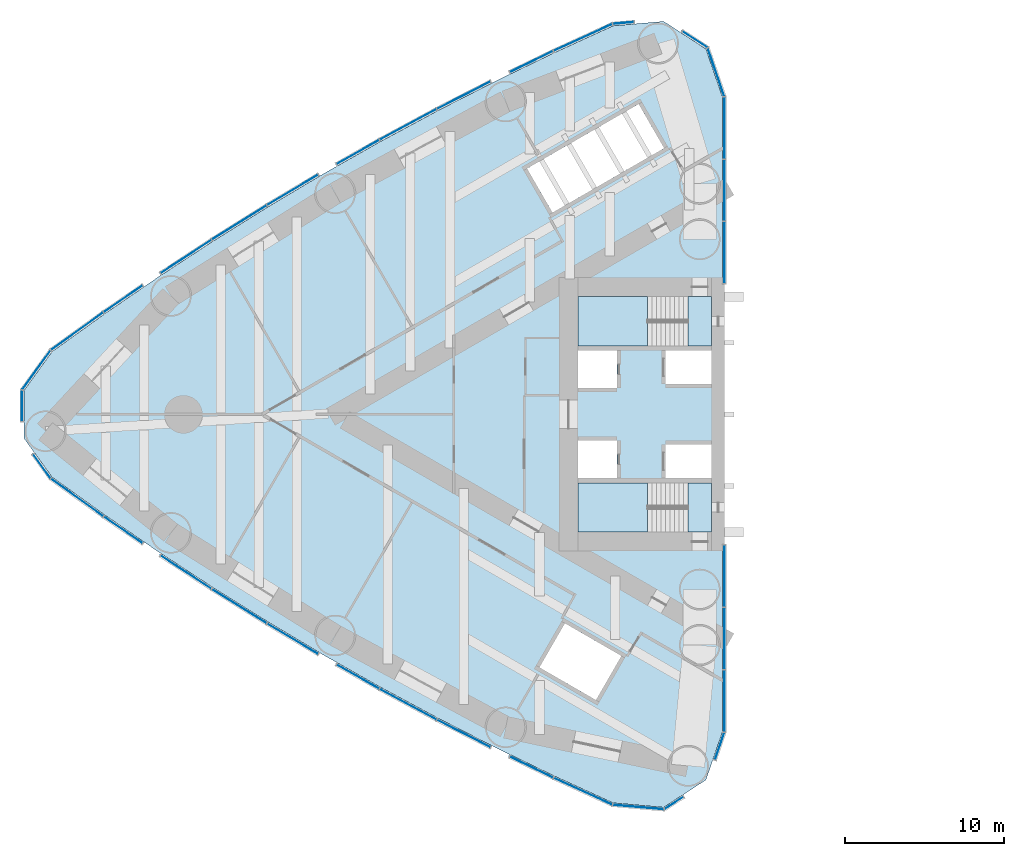
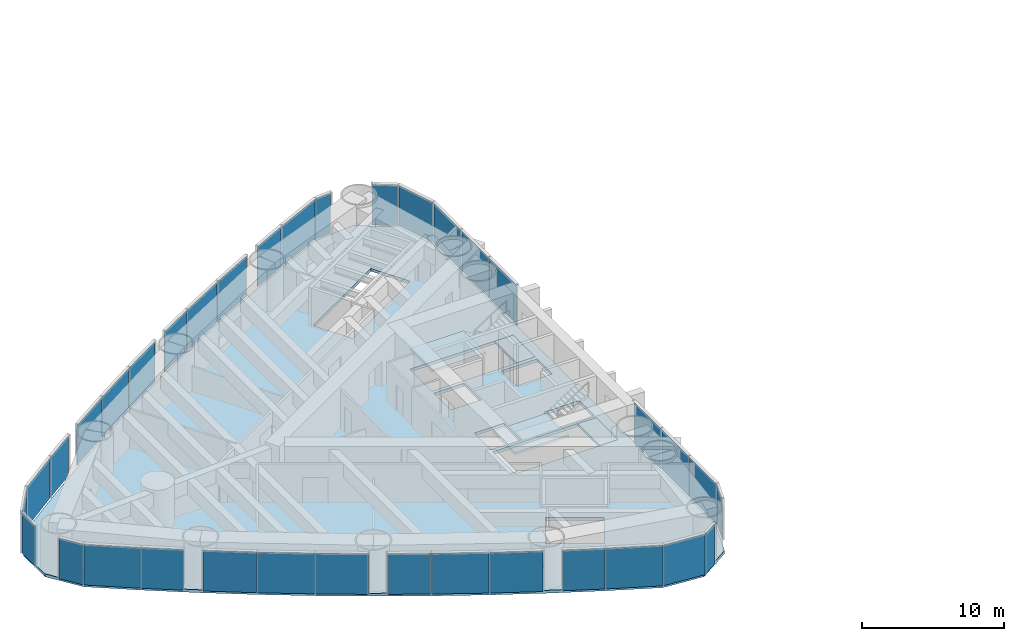
# One storey, part 9 of 16: 35 plates, 5 slabs, 12 elements without a shape of their own.
"""IFC4 building model written with IfcOpenShell, lengths in metres."""

from ifc_helpers import new_model, si_unit, direction, frame, origin, origin_2d, place, context, subcontext, project, spatial, polyline, rectangle, outline, extrude, material, layer, layer_set, type_object, element, aggregate, save


model = new_model("IFC4")

# Units and contexts
model_context = context("Model", 3, precision=1e-05, world=origin(), true_north=direction((0.0, 1.0)))
body_context = subcontext(model_context, "Body", "Model", "MODEL_VIEW")
ifc_project = project(units=[si_unit("LENGTHUNIT", "METRE"), si_unit("AREAUNIT", "SQUARE_METRE"), si_unit("VOLUMEUNIT", "CUBIC_METRE"), si_unit("PLANEANGLEUNIT", "RADIAN"), si_unit("MASSUNIT", "GRAM", prefix="KILO")], contexts=[model_context])

# Site, building, storey
site_placement = place(None, origin())
site = spatial("IfcSite", under=ifc_project, at=site_placement, CompositionType="ELEMENT")
building_placement = place(site_placement, origin())
building = spatial("IfcBuilding", under=site, at=building_placement, Name="Lancet Gate Hotel", CompositionType="ELEMENT")
storey_placement = place(building_placement, frame((0.0, 0.0, 143.10009765625)))
storey = spatial("IfcBuildingStorey", under=building, at=storey_placement, Name="L38", CompositionType="ELEMENT", Elevation=143.10009765625)

# Slab
ifc_material_1 = material(Name="Concrete C50/60", Category="concrete")
ifc_layer_1 = layer(ifc_material_1, 0.25)
ifc_layer_set_1 = layer_set([ifc_layer_1], Name="Floor slab 250")
slab_type_1 = type_object("IfcSlabType", Name="Floor slab 250", PredefinedType="FLOOR", material=ifc_layer_set_1)
slab_1_placement = place(storey_placement, frame((0.0, 0.0, -0.25)))
element("IfcSlab", 1, at=slab_1_placement, inside=storey, type_object=slab_type_1, Name="T1 L38 floor slab", PredefinedType="FLOOR", context=body_context, shape_type="SweptSolid", body=[
    extrude(outline(polyline([(-27.5, 8.60009765625), (-27.6201171875, 8.60009765625), (-27.6201171875, 19.950927734375), (-28.65966796875, 22.970947265625), (-31.320068359375, 24.69921875), (-34.5009765625, 24.421630859375), (-38.201416015625, 22.727783203125), (-41.8818359375, 20.946044921875), (-45.523193359375, 19.085693359375), (-49.12353515625, 17.147216796875), (-52.681396484375, 15.131591796875), (-56.195068359375, 13.0400390625), (-59.662841796875, 10.873291015625), (-63.0830078125, 8.63232421875), (-66.454345703125, 6.318115234375), (-69.76025390625, 3.94287109375), (-71.523193359375, 1.49755859375), (-71.523193359375, -1.49755859375), (-69.76025390625, -3.94287109375), (-66.454345703125, -6.318115234375), (-63.0830078125, -8.63232421875), (-59.662841796875, -10.873291015625), (-56.195068359375, -13.0400390625), (-52.681396484375, -15.131591796875), (-49.12353515625, -17.147216796875), (-45.523193359375, -19.085693359375), (-41.8818359375, -20.946044921875), (-38.201416015625, -22.727783203125), (-34.5009765625, -24.421630859375), (-31.320068359375, -24.69921875), (-28.65966796875, -22.970947265625), (-27.6201171875, -19.950927734375), (-27.6201171875, -8.60009765625), (-27.5, -8.60009765625), (-27.5, -8.199951171875), (-27.5, 8.199951171875), (-27.5, 8.60009765625)]), holes=[polyline([(-36.699951171875, 7.39990234375), (-36.699951171875, 4.300048828125), (-28.300048828125, 4.300048828125), (-28.300048828125, 7.39990234375), (-36.699951171875, 7.39990234375)]), polyline([(-28.300048828125, 4.0), (-31.199951171875, 4.0), (-31.199951171875, 1.89990234375), (-28.300048828125, 1.89990234375), (-28.300048828125, 4.0)]), polyline([(-34.25, 4.0), (-36.699951171875, 4.0), (-36.699951171875, 1.64990234375), (-34.25, 1.64990234375), (-34.25, 4.0)]), polyline([(-36.699951171875, -1.64990234375), (-36.699951171875, -4.0), (-34.25, -4.0), (-34.25, -1.64990234375), (-36.699951171875, -1.64990234375)]), polyline([(-28.300048828125, -1.89990234375), (-31.199951171875, -1.89990234375), (-31.199951171875, -4.0), (-28.300048828125, -4.0), (-28.300048828125, -1.89990234375)]), polyline([(-28.300048828125, -4.300048828125), (-36.699951171875, -4.300048828125), (-36.699951171875, -7.39990234375), (-28.300048828125, -7.39990234375), (-28.300048828125, -4.300048828125)]), polyline([(-31.2900390625, 16.73095703125), (-32.889892578125, 19.501953125), (-39.904052734375, 15.451904296875), (-38.303955078125, 12.680908203125), (-31.2900390625, 16.73095703125)]), polyline([(-33.97412109375, -15.180908203125), (-37.52490234375, -13.131103515625), (-39.125, -15.902099609375), (-35.573974609375, -17.951904296875), (-33.97412109375, -15.180908203125)])]), origin(), (0.0, 0.0, 1.0), 0.25),
])

# Stair, slabs
ifc_material_2 = material(Name="Exit stair 20 risers 1500")
stair_type = type_object("IfcStairType", Name="Exit stair 20 risers 1500", PredefinedType="HALF_TURN_STAIR", material=ifc_material_2)
stair_1_placement = place(storey_placement, origin())
stair_1 = element("IfcStair", 2, at=stair_1_placement, inside=storey, type_object=stair_type, Name="T1 stair 1 L38", PredefinedType="HALF_TURN_STAIR")
ifc_material_3 = material(Name="Concrete C40/50", Category="concrete")
ifc_layer_2 = layer(ifc_material_3, 0.199951171875)
ifc_layer_set_2 = layer_set([ifc_layer_2], Name="Stair landing 200")
slab_type_2 = type_object("IfcSlabType", Name="Stair landing 200", PredefinedType="LANDING", material=ifc_layer_set_2)
slab_2_placement = place(storey_placement, frame((0.0, 0.0, -0.2001953125)))
slab_2 = element("IfcSlab", 3, at=slab_2_placement, type_object=slab_type_2, Name="ST1 landing 1", PredefinedType="LANDING", context=body_context, shape_type="SweptSolid", body=[
    extrude(outline(polyline([(-28.300048828125, 7.39990234375), (-29.800048828125, 7.39990234375), (-29.800048828125, 4.300048828125), (-28.300048828125, 4.300048828125), (-28.300048828125, 7.39990234375)])), origin(), (0.0, 0.0, 1.0), 0.2001953125),
])
slab_3_placement = place(storey_placement, frame((0.0, 0.0, 1.599853515625)))
slab_3 = element("IfcSlab", 4, at=slab_3_placement, type_object=slab_type_2, Name="ST1 landing 2", PredefinedType="LANDING", context=body_context, shape_type="SweptSolid", body=[
    extrude(outline(polyline([(-32.320068359375, 7.39990234375), (-36.699951171875, 7.39990234375), (-36.699951171875, 4.300048828125), (-32.320068359375, 4.300048828125), (-32.320068359375, 7.39990234375)])), origin(), (0.0, 0.0, 1.0), 0.199951171875),
])
aggregate(stair_1, [slab_2, slab_3])

stair_2_placement = place(storey_placement, origin())
stair_2 = element("IfcStair", 5, at=stair_2_placement, inside=storey, type_object=stair_type, Name="T1 stair 2 L38", PredefinedType="HALF_TURN_STAIR")
slab_4_placement = place(storey_placement, frame((0.0, 0.0, -0.2001953125)))
slab_4 = element("IfcSlab", 6, at=slab_4_placement, type_object=slab_type_2, Name="ST2 landing 1", PredefinedType="LANDING", context=body_context, shape_type="SweptSolid", body=[
    extrude(outline(polyline([(-28.300048828125, -4.300048828125), (-29.800048828125, -4.300048828125), (-29.800048828125, -7.39990234375), (-28.300048828125, -7.39990234375), (-28.300048828125, -4.300048828125)])), origin(), (0.0, 0.0, 1.0), 0.2001953125),
])
slab_5_placement = place(storey_placement, frame((0.0, 0.0, 1.599853515625)))
slab_5 = element("IfcSlab", 7, at=slab_5_placement, type_object=slab_type_2, Name="ST2 landing 2", PredefinedType="LANDING", context=body_context, shape_type="SweptSolid", body=[
    extrude(outline(polyline([(-32.320068359375, -4.300048828125), (-36.699951171875, -4.300048828125), (-36.699951171875, -7.39990234375), (-32.320068359375, -7.39990234375), (-32.320068359375, -4.300048828125)])), origin(), (0.0, 0.0, 1.0), 0.199951171875),
])
aggregate(stair_2, [slab_4, slab_5])

# Curtain wall, plates
ifc_material_4 = material(Name="Aluminium curtain wall", Category="aluminium")
curtain_wall_type = type_object("IfcCurtainWallType", Name="Tower unitised curtain wall", PredefinedType="USERDEFINED", material=ifc_material_4)
curtain_wall_1_placement = place(storey_placement, origin())
curtain_wall_1 = element("IfcCurtainWall", 8, at=curtain_wall_1_placement, inside=storey, type_object=curtain_wall_type, Name="T1 L38 curtain wall 1", ObjectType="UNITISED CURTAIN WALL", PredefinedType="USERDEFINED")
ifc_material_5 = material(Name="Glass double glazed unit 8-16-6", Category="glass")
ifc_layer_3 = layer(ifc_material_5, 0.030029296875)
ifc_layer_set_3 = layer_set([ifc_layer_3], Name="Vision panel double glazed")
plate_type = type_object("IfcPlateType", Name="Vision panel double glazed", PredefinedType="CURTAIN_PANEL", material=ifc_layer_set_3)
plate_1_placement = place(storey_placement, frame((-27.5, 10.161865234375, 0.0), z_axis=(0.0, 0.0, 1.0), x_axis=(0.0, 1.0, 0.0)))
plate_1 = element("IfcPlate", 9, at=plate_1_placement, type_object=plate_type, Name="T1 L38 curtain wall 1 panel 1", PredefinedType="CURTAIN_PANEL", context=body_context, shape_type="SweptSolid", body=[
    extrude(rectangle(XDim=3.858642578125, YDim=0.030029296875, at=origin_2d()), origin(), (0.0, 0.0, 1.0), 3.449951171875),
])
plate_2_placement = place(storey_placement, frame((-27.5, 14.08544921875, 0.0), z_axis=(0.0, 0.0, 1.0), x_axis=(0.0, 1.0, 0.0)))
plate_2 = element("IfcPlate", 10, at=plate_2_placement, type_object=plate_type, Name="T1 L38 curtain wall 1 panel 2", PredefinedType="CURTAIN_PANEL", context=body_context, shape_type="SweptSolid", body=[
    extrude(rectangle(XDim=3.858642578125, YDim=0.030029296875, at=origin_2d()), origin(), (0.0, 0.0, 1.0), 3.449951171875),
])
plate_3_placement = place(storey_placement, frame((-27.5, 18.00927734375, 0.0), z_axis=(0.0, 0.0, 1.0), x_axis=(0.0, 1.0, 0.0)))
plate_3 = element("IfcPlate", 11, at=plate_3_placement, type_object=plate_type, Name="T1 L38 curtain wall 1 panel 3", PredefinedType="CURTAIN_PANEL", context=body_context, shape_type="SweptSolid", body=[
    extrude(rectangle(XDim=3.858642578125, YDim=0.030029296875, at=origin_2d()), origin(), (0.0, 0.0, 1.0), 3.449951171875),
])
plate_4_placement = place(storey_placement, frame((-28.02978515625, 21.510009765625, 0.0), z_axis=(0.0, 0.0, 1.0), x_axis=(-0.325515820766, 0.945536593914, 0.0)))
plate_4 = element("IfcPlate", 12, at=plate_4_placement, type_object=plate_type, Name="T1 L38 curtain wall 1 panel 4", PredefinedType="CURTAIN_PANEL", context=body_context, shape_type="SweptSolid", body=[
    extrude(rectangle(XDim=3.190185546875, YDim=0.030029296875, at=origin_2d()), origin(), (0.0, 0.0, 1.0), 3.449951171875),
])
plate_5_placement = place(storey_placement, frame((-29.364501953125, 23.57177734375, 0.0), z_axis=(0.0, 0.0, 1.0), x_axis=(-0.838580121261, 0.544778285385, 0.0)))
plate_5 = element("IfcPlate", 13, at=plate_5_placement, type_object=plate_type, Name="T1 L38 curtain wall 1 panel 5", PredefinedType="CURTAIN_PANEL", context=body_context, shape_type="SweptSolid", body=[
    extrude(rectangle(XDim=1.8544921875, YDim=0.030029296875, at=origin_2d()), origin(), (0.0, 0.0, 1.0), 3.449951171875),
])
aggregate(curtain_wall_1, [plate_1, plate_2, plate_3, plate_4, plate_5])

curtain_wall_2_placement = place(storey_placement, origin())
curtain_wall_2 = element("IfcCurtainWall", 14, at=curtain_wall_2_placement, inside=storey, type_object=curtain_wall_type, Name="T1 L38 curtain wall 2", ObjectType="UNITISED CURTAIN WALL", PredefinedType="USERDEFINED")
plate_6_placement = place(storey_placement, frame((-33.8486328125, 24.59912109375, 0.0), z_axis=(0.0, 0.0, 1.0), x_axis=(-0.996218779711, -0.086880049207, 0.0)))
plate_6 = element("IfcPlate", 15, at=plate_6_placement, type_object=plate_type, Name="T1 L38 curtain wall 2 panel 1", PredefinedType="CURTAIN_PANEL", context=body_context, shape_type="SweptSolid", body=[
    extrude(rectangle(XDim=1.307373046875, YDim=0.030029296875, at=origin_2d()), origin(), (0.0, 0.0, 1.0), 3.449951171875),
])
plate_7_placement = place(storey_placement, frame((-36.392333984375, 23.68798828125, 0.0), z_axis=(0.0, 0.0, 1.0), x_axis=(-0.909252721243, -0.416244506166, 0.0)))
plate_7 = element("IfcPlate", 16, at=plate_7_placement, type_object=plate_type, Name="T1 L38 curtain wall 2 panel 2", PredefinedType="CURTAIN_PANEL", context=body_context, shape_type="SweptSolid", body=[
    extrude(rectangle(XDim=4.026611328125, YDim=0.030029296875, at=origin_2d()), origin(), (0.0, 0.0, 1.0), 3.449951171875),
])
plate_8_placement = place(storey_placement, frame((-39.63037109375, 22.16943359375, 0.0), z_axis=(0.0, 0.0, 1.0), x_axis=(-0.900081672047, -0.435721222395, 0.0)))
plate_8 = element("IfcPlate", 17, at=plate_8_placement, type_object=plate_type, Name="T1 L38 curtain wall 2 panel 3", PredefinedType="CURTAIN_PANEL", context=body_context, shape_type="SweptSolid", body=[
    extrude(rectangle(XDim=2.99658203125, YDim=0.030029296875, at=origin_2d()), origin(), (0.0, 0.0, 1.0), 3.449951171875),
])
aggregate(curtain_wall_2, [plate_6, plate_7, plate_8])

curtain_wall_3_placement = place(storey_placement, origin())
curtain_wall_3 = element("IfcCurtainWall", 18, at=curtain_wall_3_placement, inside=storey, type_object=curtain_wall_type, Name="T1 L38 curtain wall 3", ObjectType="UNITISED CURTAIN WALL", PredefinedType="USERDEFINED")
plate_9_placement = place(storey_placement, frame((-43.880859375, 20.0595703125, 0.0), z_axis=(0.0, 0.0, 1.0), x_axis=(-0.890493479451, -0.45499600334, 0.0)))
plate_9 = element("IfcPlate", 19, at=plate_9_placement, type_object=plate_type, Name="T1 L38 curtain wall 3 panel 1", PredefinedType="CURTAIN_PANEL", context=body_context, shape_type="SweptSolid", body=[
    extrude(rectangle(XDim=3.748779296875, YDim=0.030029296875, at=origin_2d()), origin(), (0.0, 0.0, 1.0), 3.449951171875),
])
plate_10_placement = place(storey_placement, frame((-47.380126953125, 18.221923828125, 0.0), z_axis=(0.0, 0.0, 1.0), x_axis=(-0.880492587094, -0.474059916121, 0.0)))
plate_10 = element("IfcPlate", 20, at=plate_10_placement, type_object=plate_type, Name="T1 L38 curtain wall 3 panel 2", PredefinedType="CURTAIN_PANEL", context=body_context, shape_type="SweptSolid", body=[
    extrude(rectangle(XDim=4.026611328125, YDim=0.030029296875, at=origin_2d()), origin(), (0.0, 0.0, 1.0), 3.449951171875),
])
plate_11_placement = place(storey_placement, frame((-50.53466796875, 16.485595703125, 0.0), z_axis=(0.0, 0.0, 1.0), x_axis=(-0.870083629903, -0.49290412554, 0.0)))
plate_11 = element("IfcPlate", 21, at=plate_11_placement, type_object=plate_type, Name="T1 L38 curtain wall 3 panel 3", PredefinedType="CURTAIN_PANEL", context=body_context, shape_type="SweptSolid", body=[
    extrude(rectangle(XDim=3.04541015625, YDim=0.030029296875, at=origin_2d()), origin(), (0.0, 0.0, 1.0), 3.449951171875),
])
aggregate(curtain_wall_3, [plate_9, plate_10, plate_11])

curtain_wall_4_placement = place(storey_placement, origin())
curtain_wall_4 = element("IfcCurtainWall", 22, at=curtain_wall_4_placement, inside=storey, type_object=curtain_wall_type, Name="T1 L38 curtain wall 4", ObjectType="UNITISED CURTAIN WALL", PredefinedType="USERDEFINED")
plate_12_placement = place(storey_placement, frame((-54.634521484375, 14.108642578125, 0.0), z_axis=(0.0, 0.0, 1.0), x_axis=(-0.859271431916, -0.511519898238, 0.0)))
plate_12 = element("IfcPlate", 23, at=plate_12_placement, type_object=plate_type, Name="T1 L38 curtain wall 4 panel 1", PredefinedType="CURTAIN_PANEL", context=body_context, shape_type="SweptSolid", body=[
    extrude(rectangle(XDim=3.71240234375, YDim=0.030029296875, at=origin_2d()), origin(), (0.0, 0.0, 1.0), 3.449951171875),
])
plate_13_placement = place(storey_placement, frame((-57.992431640625, 12.058349609375, 0.0), z_axis=(0.0, 0.0, 1.0), x_axis=(-0.848061004052, -0.529898606722, 0.0)))
plate_13 = element("IfcPlate", 24, at=plate_13_placement, type_object=plate_type, Name="T1 L38 curtain wall 4 panel 2", PredefinedType="CURTAIN_PANEL", context=body_context, shape_type="SweptSolid", body=[
    extrude(rectangle(XDim=4.026611328125, YDim=0.030029296875, at=origin_2d()), origin(), (0.0, 0.0, 1.0), 3.449951171875),
])
plate_14_placement = place(storey_placement, frame((-61.34130859375, 9.9169921875, 0.0), z_axis=(0.0, 0.0, 1.0), x_axis=(-0.836457541791, -0.54803173337, 0.0)))
plate_14 = element("IfcPlate", 25, at=plate_14_placement, type_object=plate_type, Name="T1 L38 curtain wall 4 panel 3", PredefinedType="CURTAIN_PANEL", context=body_context, shape_type="SweptSolid", body=[
    extrude(rectangle(XDim=3.793701171875, YDim=0.030029296875, at=origin_2d()), origin(), (0.0, 0.0, 1.0), 3.449951171875),
])
aggregate(curtain_wall_4, [plate_12, plate_13, plate_14])

curtain_wall_5_placement = place(storey_placement, origin())
curtain_wall_5 = element("IfcCurtainWall", 26, at=curtain_wall_5_placement, inside=storey, type_object=curtain_wall_type, Name="T1 L38 curtain wall 5", ObjectType="UNITISED CURTAIN WALL", PredefinedType="USERDEFINED")
plate_15_placement = place(storey_placement, frame((-65.286865234375, 7.26513671875, 0.0), z_axis=(0.0, 0.0, 1.0), x_axis=(-0.824466422775, -0.565910874357, 0.0)))
plate_15 = element("IfcPlate", 27, at=plate_15_placement, type_object=plate_type, Name="T1 L38 curtain wall 5 panel 1", PredefinedType="CURTAIN_PANEL", context=body_context, shape_type="SweptSolid", body=[
    extrude(rectangle(XDim=2.9345703125, YDim=0.030029296875, at=origin_2d()), origin(), (0.0, 0.0, 1.0), 3.449951171875),
])
plate_16_placement = place(storey_placement, frame((-68.184814453125, 5.22265625, 0.0), z_axis=(0.0, 0.0, 1.0), x_axis=(-0.812093204276, -0.583527743615, 0.0)))
plate_16 = element("IfcPlate", 28, at=plate_16_placement, type_object=plate_type, Name="T1 L38 curtain wall 5 panel 2", PredefinedType="CURTAIN_PANEL", context=body_context, shape_type="SweptSolid", body=[
    extrude(rectangle(XDim=4.026611328125, YDim=0.030029296875, at=origin_2d()), origin(), (0.0, 0.0, 1.0), 3.449951171875),
])
plate_17_placement = place(storey_placement, frame((-70.74462890625, 2.782470703125, 0.0), z_axis=(0.0, 0.0, 1.0), x_axis=(-0.584808645706, -0.811171281486, 0.0)))
plate_17 = element("IfcPlate", 29, at=plate_17_placement, type_object=plate_type, Name="T1 L38 curtain wall 5 panel 3", PredefinedType="CURTAIN_PANEL", context=body_context, shape_type="SweptSolid", body=[
    extrude(rectangle(XDim=3.0078125, YDim=0.030029296875, at=origin_2d()), origin(), (0.0, 0.0, 1.0), 3.449951171875),
])
plate_18_placement = place(storey_placement, frame((-71.64306640625, 0.53173828125, 0.0), z_axis=(0.0, 0.0, 1.0), x_axis=(0.0, -1.0, 0.0)))
plate_18 = element("IfcPlate", 30, at=plate_18_placement, type_object=plate_type, Name="T1 L38 curtain wall 5 panel 4", PredefinedType="CURTAIN_PANEL", context=body_context, shape_type="SweptSolid", body=[
    extrude(rectangle(XDim=1.944091796875, YDim=0.030029296875, at=origin_2d()), origin(), (0.0, 0.0, 1.0), 3.449951171875),
])
aggregate(curtain_wall_5, [plate_15, plate_16, plate_17, plate_18])

curtain_wall_6_placement = place(storey_placement, origin())
curtain_wall_6 = element("IfcCurtainWall", 31, at=curtain_wall_6_placement, inside=storey, type_object=curtain_wall_type, Name="T1 L38 curtain wall 6", ObjectType="UNITISED CURTAIN WALL", PredefinedType="USERDEFINED")
plate_19_placement = place(storey_placement, frame((-70.402587890625, -3.257080078125, 0.0), z_axis=(0.0, 0.0, 1.0), x_axis=(0.584808645706, -0.811171281486, 0.0)))
plate_19 = element("IfcPlate", 32, at=plate_19_placement, type_object=plate_type, Name="T1 L38 curtain wall 6 panel 1", PredefinedType="CURTAIN_PANEL", context=body_context, shape_type="SweptSolid", body=[
    extrude(rectangle(XDim=1.837890625, YDim=0.030029296875, at=origin_2d()), origin(), (0.0, 0.0, 1.0), 3.449951171875),
])
plate_20_placement = place(storey_placement, frame((-68.184814453125, -5.22265625, 0.0), z_axis=(0.0, 0.0, 1.0), x_axis=(0.812093204276, -0.583527743615, 0.0)))
plate_20 = element("IfcPlate", 33, at=plate_20_placement, type_object=plate_type, Name="T1 L38 curtain wall 6 panel 2", PredefinedType="CURTAIN_PANEL", context=body_context, shape_type="SweptSolid", body=[
    extrude(rectangle(XDim=4.026611328125, YDim=0.030029296875, at=origin_2d()), origin(), (0.0, 0.0, 1.0), 3.449951171875),
])
plate_21_placement = place(storey_placement, frame((-65.286865234375, -7.26513671875, 0.0), z_axis=(0.0, 0.0, 1.0), x_axis=(0.824466422775, -0.565910874357, 0.0)))
plate_21 = element("IfcPlate", 34, at=plate_21_placement, type_object=plate_type, Name="T1 L38 curtain wall 6 panel 3", PredefinedType="CURTAIN_PANEL", context=body_context, shape_type="SweptSolid", body=[
    extrude(rectangle(XDim=2.9345703125, YDim=0.030029296875, at=origin_2d()), origin(), (0.0, 0.0, 1.0), 3.449951171875),
])
aggregate(curtain_wall_6, [plate_19, plate_20, plate_21])

curtain_wall_7_placement = place(storey_placement, origin())
curtain_wall_7 = element("IfcCurtainWall", 35, at=curtain_wall_7_placement, inside=storey, type_object=curtain_wall_type, Name="T1 L38 curtain wall 7", ObjectType="UNITISED CURTAIN WALL", PredefinedType="USERDEFINED")
plate_22_placement = place(storey_placement, frame((-61.34130859375, -9.9169921875, 0.0), z_axis=(0.0, 0.0, 1.0), x_axis=(0.836457541791, -0.54803173337, 0.0)))
plate_22 = element("IfcPlate", 36, at=plate_22_placement, type_object=plate_type, Name="T1 L38 curtain wall 7 panel 1", PredefinedType="CURTAIN_PANEL", context=body_context, shape_type="SweptSolid", body=[
    extrude(rectangle(XDim=3.793701171875, YDim=0.030029296875, at=origin_2d()), origin(), (0.0, 0.0, 1.0), 3.449951171875),
])
plate_23_placement = place(storey_placement, frame((-57.992431640625, -12.058349609375, 0.0), z_axis=(0.0, 0.0, 1.0), x_axis=(0.848061004052, -0.529898606722, 0.0)))
plate_23 = element("IfcPlate", 37, at=plate_23_placement, type_object=plate_type, Name="T1 L38 curtain wall 7 panel 2", PredefinedType="CURTAIN_PANEL", context=body_context, shape_type="SweptSolid", body=[
    extrude(rectangle(XDim=4.026611328125, YDim=0.030029296875, at=origin_2d()), origin(), (0.0, 0.0, 1.0), 3.449951171875),
])
plate_24_placement = place(storey_placement, frame((-54.634521484375, -14.108642578125, 0.0), z_axis=(0.0, 0.0, 1.0), x_axis=(0.859271431916, -0.511519898238, 0.0)))
plate_24 = element("IfcPlate", 38, at=plate_24_placement, type_object=plate_type, Name="T1 L38 curtain wall 7 panel 3", PredefinedType="CURTAIN_PANEL", context=body_context, shape_type="SweptSolid", body=[
    extrude(rectangle(XDim=3.71240234375, YDim=0.030029296875, at=origin_2d()), origin(), (0.0, 0.0, 1.0), 3.449951171875),
])
aggregate(curtain_wall_7, [plate_22, plate_23, plate_24])

curtain_wall_8_placement = place(storey_placement, origin())
curtain_wall_8 = element("IfcCurtainWall", 39, at=curtain_wall_8_placement, inside=storey, type_object=curtain_wall_type, Name="T1 L38 curtain wall 8", ObjectType="UNITISED CURTAIN WALL", PredefinedType="USERDEFINED")
plate_25_placement = place(storey_placement, frame((-50.53466796875, -16.485595703125, 0.0), z_axis=(0.0, 0.0, 1.0), x_axis=(0.870083629903, -0.49290412554, 0.0)))
plate_25 = element("IfcPlate", 40, at=plate_25_placement, type_object=plate_type, Name="T1 L38 curtain wall 8 panel 1", PredefinedType="CURTAIN_PANEL", context=body_context, shape_type="SweptSolid", body=[
    extrude(rectangle(XDim=3.04541015625, YDim=0.030029296875, at=origin_2d()), origin(), (0.0, 0.0, 1.0), 3.449951171875),
])
plate_26_placement = place(storey_placement, frame((-47.380126953125, -18.221923828125, 0.0), z_axis=(0.0, 0.0, 1.0), x_axis=(0.880492587094, -0.474059916121, 0.0)))
plate_26 = element("IfcPlate", 41, at=plate_26_placement, type_object=plate_type, Name="T1 L38 curtain wall 8 panel 2", PredefinedType="CURTAIN_PANEL", context=body_context, shape_type="SweptSolid", body=[
    extrude(rectangle(XDim=4.026611328125, YDim=0.030029296875, at=origin_2d()), origin(), (0.0, 0.0, 1.0), 3.449951171875),
])
plate_27_placement = place(storey_placement, frame((-43.880859375, -20.0595703125, 0.0), z_axis=(0.0, 0.0, 1.0), x_axis=(0.890493479451, -0.45499600334, 0.0)))
plate_27 = element("IfcPlate", 42, at=plate_27_placement, type_object=plate_type, Name="T1 L38 curtain wall 8 panel 3", PredefinedType="CURTAIN_PANEL", context=body_context, shape_type="SweptSolid", body=[
    extrude(rectangle(XDim=3.748779296875, YDim=0.030029296875, at=origin_2d()), origin(), (0.0, 0.0, 1.0), 3.449951171875),
])
aggregate(curtain_wall_8, [plate_25, plate_26, plate_27])

curtain_wall_9_placement = place(storey_placement, origin())
curtain_wall_9 = element("IfcCurtainWall", 43, at=curtain_wall_9_placement, inside=storey, type_object=curtain_wall_type, Name="T1 L38 curtain wall 9", ObjectType="UNITISED CURTAIN WALL", PredefinedType="USERDEFINED")
plate_28_placement = place(storey_placement, frame((-39.63037109375, -22.16943359375, 0.0), z_axis=(0.0, 0.0, 1.0), x_axis=(0.900081672047, -0.435721222395, 0.0)))
plate_28 = element("IfcPlate", 44, at=plate_28_placement, type_object=plate_type, Name="T1 L38 curtain wall 9 panel 1", PredefinedType="CURTAIN_PANEL", context=body_context, shape_type="SweptSolid", body=[
    extrude(rectangle(XDim=2.99658203125, YDim=0.030029296875, at=origin_2d()), origin(), (0.0, 0.0, 1.0), 3.449951171875),
])
plate_29_placement = place(storey_placement, frame((-36.392333984375, -23.68798828125, 0.0), z_axis=(0.0, 0.0, 1.0), x_axis=(0.909252721243, -0.416244506166, 0.0)))
plate_29 = element("IfcPlate", 45, at=plate_29_placement, type_object=plate_type, Name="T1 L38 curtain wall 9 panel 2", PredefinedType="CURTAIN_PANEL", context=body_context, shape_type="SweptSolid", body=[
    extrude(rectangle(XDim=4.026611328125, YDim=0.030029296875, at=origin_2d()), origin(), (0.0, 0.0, 1.0), 3.449951171875),
])
plate_30_placement = place(storey_placement, frame((-32.91064453125, -24.680908203125, 0.0), z_axis=(0.0, 0.0, 1.0), x_axis=(0.996218779711, -0.086880049207, 0.0)))
plate_30 = element("IfcPlate", 46, at=plate_30_placement, type_object=plate_type, Name="T1 L38 curtain wall 9 panel 3", PredefinedType="CURTAIN_PANEL", context=body_context, shape_type="SweptSolid", body=[
    extrude(rectangle(XDim=3.190185546875, YDim=0.030029296875, at=origin_2d()), origin(), (0.0, 0.0, 1.0), 3.449951171875),
])
plate_31_placement = place(storey_placement, frame((-30.675048828125, -24.42333984375, 0.0), z_axis=(0.0, 0.0, 1.0), x_axis=(0.838580121261, 0.544778285385, 0.0)))
plate_31 = element("IfcPlate", 47, at=plate_31_placement, type_object=plate_type, Name="T1 L38 curtain wall 9 panel 4", PredefinedType="CURTAIN_PANEL", context=body_context, shape_type="SweptSolid", body=[
    extrude(rectangle(XDim=1.39990234375, YDim=0.030029296875, at=origin_2d()), origin(), (0.0, 0.0, 1.0), 3.449951171875),
])
aggregate(curtain_wall_9, [plate_28, plate_29, plate_30, plate_31])

curtain_wall_10_placement = place(storey_placement, origin())
curtain_wall_10 = element("IfcCurtainWall", 48, at=curtain_wall_10_placement, inside=storey, type_object=curtain_wall_type, Name="T1 L38 curtain wall 10", ObjectType="UNITISED CURTAIN WALL", PredefinedType="USERDEFINED")
plate_32_placement = place(storey_placement, frame((-27.80224609375, -20.849365234375, 0.0), z_axis=(0.0, 0.0, 1.0), x_axis=(0.325515820766, 0.945536593914, 0.0)))
plate_32 = element("IfcPlate", 49, at=plate_32_placement, type_object=plate_type, Name="T1 L38 curtain wall 10 panel 1", PredefinedType="CURTAIN_PANEL", context=body_context, shape_type="SweptSolid", body=[
    extrude(rectangle(XDim=1.792724609375, YDim=0.030029296875, at=origin_2d()), origin(), (0.0, 0.0, 1.0), 3.449951171875),
])
plate_33_placement = place(storey_placement, frame((-27.5, -18.00927734375, 0.0), z_axis=(0.0, 0.0, 1.0), x_axis=(0.0, 1.0, 0.0)))
plate_33 = element("IfcPlate", 50, at=plate_33_placement, type_object=plate_type, Name="T1 L38 curtain wall 10 panel 2", PredefinedType="CURTAIN_PANEL", context=body_context, shape_type="SweptSolid", body=[
    extrude(rectangle(XDim=3.858642578125, YDim=0.030029296875, at=origin_2d()), origin(), (0.0, 0.0, 1.0), 3.449951171875),
])
plate_34_placement = place(storey_placement, frame((-27.5, -14.08544921875, 0.0), z_axis=(0.0, 0.0, 1.0), x_axis=(0.0, 1.0, 0.0)))
plate_34 = element("IfcPlate", 51, at=plate_34_placement, type_object=plate_type, Name="T1 L38 curtain wall 10 panel 3", PredefinedType="CURTAIN_PANEL", context=body_context, shape_type="SweptSolid", body=[
    extrude(rectangle(XDim=3.858642578125, YDim=0.030029296875, at=origin_2d()), origin(), (0.0, 0.0, 1.0), 3.449951171875),
])
plate_35_placement = place(storey_placement, frame((-27.5, -10.161865234375, 0.0), z_axis=(0.0, 0.0, 1.0), x_axis=(0.0, 1.0, 0.0)))
plate_35 = element("IfcPlate", 52, at=plate_35_placement, type_object=plate_type, Name="T1 L38 curtain wall 10 panel 4", PredefinedType="CURTAIN_PANEL", context=body_context, shape_type="SweptSolid", body=[
    extrude(rectangle(XDim=3.858642578125, YDim=0.030029296875, at=origin_2d()), origin(), (0.0, 0.0, 1.0), 3.449951171875),
])
aggregate(curtain_wall_10, [plate_32, plate_33, plate_34, plate_35])

save(model, "model.ifc")
